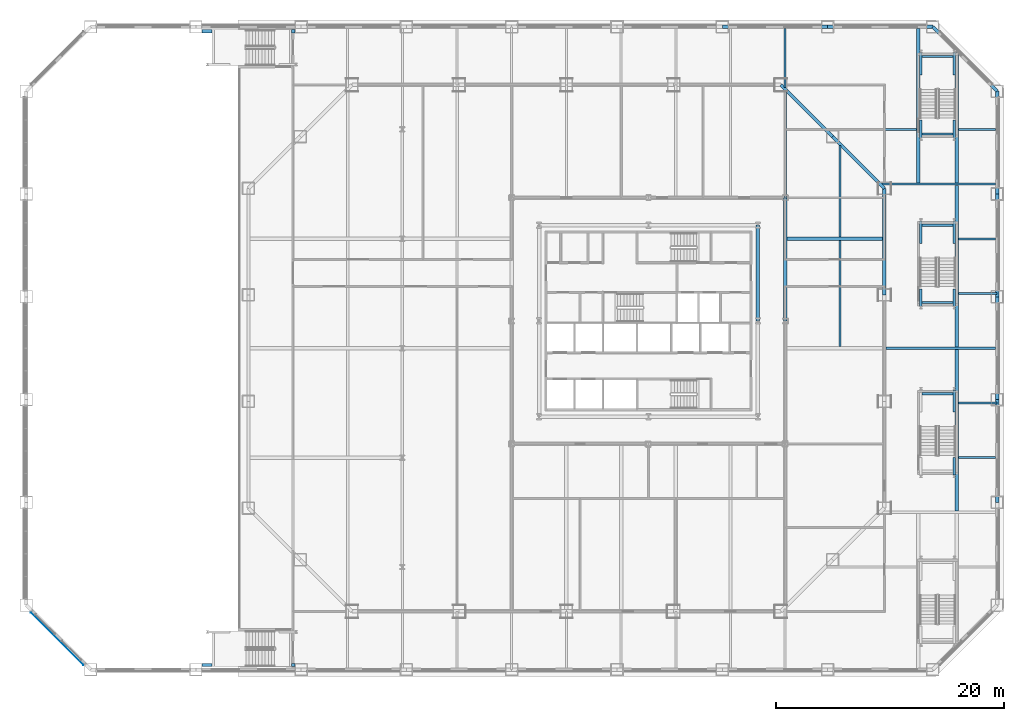
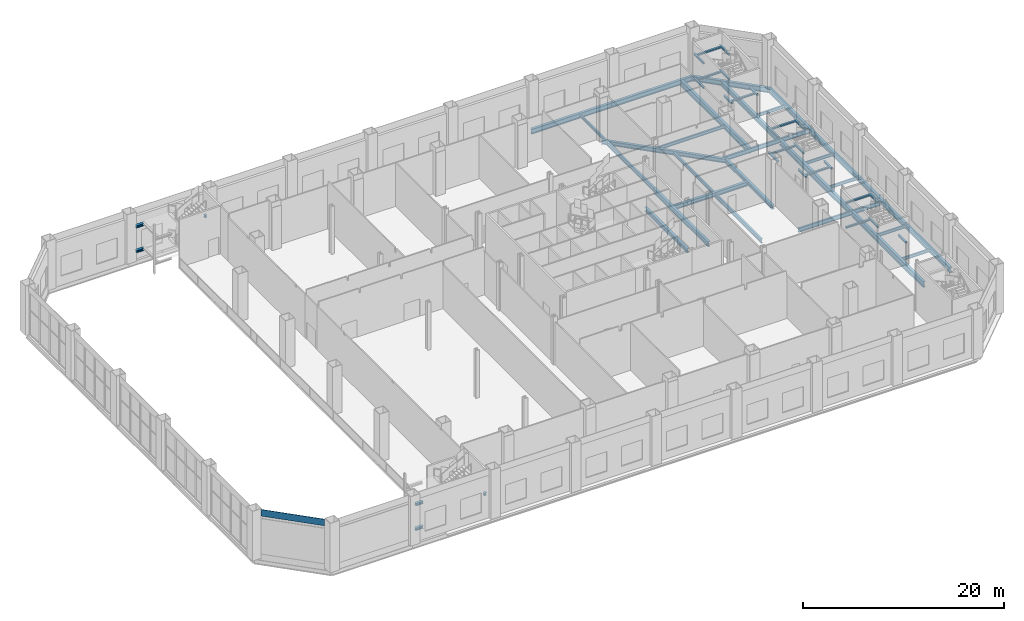
# One storey, part 13 of 31: 58 beams, 1 plate.
"""IFC4 building model written with IfcOpenShell, lengths in metres."""

import ifcopenshell
import ifcopenshell.guid

model = None  # the IFC model being written
_history = None  # IfcOwnerHistory: only IFC2X3 demands one
_inside = {}  # id of a spatial element -> (the spatial element, [elements in it])
_under = {}  # id of a project, library or spatial element -> (it, [spatial elements below it])
_declared = {}  # id of a project -> (the project, [libraries it declares])
_typed = {}  # id of a type object -> (the type object, [elements of that type])
_made_of = {}  # id of a material, layer set ... -> (it, [elements and type objects made of it])


def new_model(schema):
    """Start an empty IFC model of exactly this schema.

    Asked for "IFC4X3", IfcOpenShell would pick the latest addendum, in which some entities
    have other attributes; the version numbers below select the first issue.
    IFC2X3 requires an IfcOwnerHistory on every rooted entity: one is made here for all.
    """
    global model, _history
    if schema == "IFC4X3":
        model = ifcopenshell.file(schema_version=(4, 3, 0, 0))
    else:
        model = ifcopenshell.file(schema=schema)
    _inside.clear()
    _under.clear()
    _declared.clear()
    _typed.clear()
    _made_of.clear()
    _history = None
    if model.schema == "IFC2X3":
        org = make("IfcOrganization", Name="unknown")
        user = make(
            "IfcPersonAndOrganization",
            ThePerson=make("IfcPerson", FamilyName="unknown"),
            TheOrganization=org,
        )
        app = make(
            "IfcApplication",
            ApplicationDeveloper=org,
            Version="unknown",
            ApplicationFullName="unknown",
            ApplicationIdentifier="unknown",
        )
        _history = make(
            "IfcOwnerHistory",
            OwningUser=user,
            OwningApplication=app,
            ChangeAction="ADDED",
            CreationDate=0,
        )
    return model


def make(cls, **values):
    """One entity of the class cls with the attributes given. An attribute that is None is left unset."""
    return model.create_entity(
        cls, **{name: value for name, value in values.items() if value is not None}
    )


def rooted(cls, **values):
    """An entity with a GlobalId (a new one), such as an element, a storey or a relation."""
    return make(cls, GlobalId=ifcopenshell.guid.new(), OwnerHistory=_history, **values)


def si_unit(unit_type, name, prefix=None):
    """IfcSIUnit, for example si_unit("LENGTHUNIT", "METRE", prefix="MILLI")."""
    return make("IfcSIUnit", UnitType=unit_type, Prefix=prefix, Name=name)


def assignment(units):
    """IfcUnitAssignment: the units of a project."""
    return None if units is None else make("IfcUnitAssignment", Units=units)


def point(xyz):
    """IfcCartesianPoint."""
    return None if xyz is None else make("IfcCartesianPoint", Coordinates=xyz)


def direction(xyz):
    """IfcDirection."""
    return None if xyz is None else make("IfcDirection", DirectionRatios=xyz)


def frame(location, z_axis=None, x_axis=None):
    """IfcAxis2Placement3D, a coordinate frame: its origin and axes. An axis left out is left unset."""
    return make(
        "IfcAxis2Placement3D",
        Location=point(location),
        Axis=direction(z_axis),
        RefDirection=direction(x_axis),
    )


def frame_2d(location, x_axis=None):
    """IfcAxis2Placement2D, a coordinate frame in the plane: its origin and x axis."""
    return make(
        "IfcAxis2Placement2D", Location=point(location), RefDirection=direction(x_axis)
    )


def origin():
    """The frame at (0, 0, 0) with its axes left unset."""
    return frame((0.0, 0.0, 0.0))


def origin_2d():
    """The frame at (0, 0) in the plane with its x axis left unset."""
    return frame_2d((0.0, 0.0))


def place(relative_to, where):
    """IfcLocalPlacement: puts the frame where relative to a parent placement (None: the world)."""
    return make(
        "IfcLocalPlacement", PlacementRelTo=relative_to, RelativePlacement=where
    )


def context(
    kind, dimensions, precision=None, world=None, true_north=None, identifier=None
):
    """IfcGeometricRepresentationContext, for example the 3D "Model" context."""
    return make(
        "IfcGeometricRepresentationContext",
        ContextIdentifier=identifier,
        ContextType=kind,
        CoordinateSpaceDimension=dimensions,
        Precision=precision,
        WorldCoordinateSystem=world,
        TrueNorth=true_north,
    )


def subcontext(parent, identifier, kind, view, scale=None):
    """IfcGeometricRepresentationSubContext, for example "Body" below "Model"."""
    return make(
        "IfcGeometricRepresentationSubContext",
        ContextIdentifier=identifier,
        ContextType=kind,
        ParentContext=parent,
        TargetScale=scale,
        TargetView=view,
    )


def project(units=None, contexts=None):
    """IfcProject with its units and contexts."""
    return rooted(
        "IfcProject",
        Name="project",
        RepresentationContexts=contexts,
        UnitsInContext=assignment(units),
    )


def spatial(cls, under=None, at=None, **own):
    """A site, building, storey or space (cls), placed at a placement, below another one or the project."""
    s = rooted(cls, ObjectPlacement=at, **own)
    if under is not None:
        _under.setdefault(under.id(), (under, []))[1].append(s)
    return s


def profile(cls, at=None, kind="AREA", **sizes):
    """A parametric profile (cls). Its sizes go by their IFC names, for example OverallWidth=200.0."""
    return make(cls, ProfileType=kind, Position=at, **sizes)


def rectangle(**sizes):
    """IfcRectangleProfileDef."""
    return profile("IfcRectangleProfileDef", **sizes)


def i_section(**sizes):
    """IfcIShapeProfileDef."""
    return profile("IfcIShapeProfileDef", **sizes)


def extrude(swept, where, along, depth):
    """IfcExtrudedAreaSolid: the profile swept, set in the frame where, extruded along a direction by depth."""
    return make(
        "IfcExtrudedAreaSolid",
        SweptArea=swept,
        Position=where,
        ExtrudedDirection=direction(along),
        Depth=depth,
    )


def shape(context_of_items, identifier, shape_type, items):
    """IfcShapeRepresentation: the items that make up one representation, for example the "Body"."""
    return make(
        "IfcShapeRepresentation",
        ContextOfItems=context_of_items,
        RepresentationIdentifier=identifier,
        RepresentationType=shape_type,
        Items=items,
    )


def material(Name=None, Category=None):
    """IfcMaterial."""
    return make("IfcMaterial", Name=Name, Category=Category)


def layer(
    of_material, thickness, ventilated=None, Name=None, Category=None, Priority=None
):
    """IfcMaterialLayer: one layer of a wall or slab, of a material (None: an air gap)."""
    return make(
        "IfcMaterialLayer",
        Material=of_material,
        LayerThickness=thickness,
        IsVentilated=ventilated,
        Name=Name,
        Category=Category,
        Priority=Priority,
    )


def layer_set(layers, Name=None):
    """IfcMaterialLayerSet."""
    return make("IfcMaterialLayerSet", MaterialLayers=layers, LayerSetName=Name)


def material_profile(
    of_material, cross_section, Name=None, Category=None, Priority=None
):
    """IfcMaterialProfile: a cross section and its material."""
    return make(
        "IfcMaterialProfile",
        Name=Name,
        Material=of_material,
        Profile=cross_section,
        Priority=Priority,
        Category=Category,
    )


def profile_set(profiles, Name=None, composite=None):
    """IfcMaterialProfileSet."""
    return make(
        "IfcMaterialProfileSet",
        Name=Name,
        MaterialProfiles=profiles,
        CompositeProfile=composite,
    )


def made_of(thing, what):
    """Note that an element or type object is made of a material, layer set ...; save() writes the relation."""
    if what is not None:
        _made_of.setdefault(what.id(), (what, []))[1].append(thing)
    return thing


def type_object(cls, material=None, **own):
    """A type object (cls), such as IfcWallType, which elements share."""
    return made_of(rooted(cls, **own), material)


def element(
    cls,
    number,
    at=None,
    inside=None,
    cuts=None,
    type_object=None,
    material=None,
    context=None,
    identifier="Body",
    shape_type=None,
    held_by="IfcProductDefinitionShape",
    body=None,
    shapes=None,
    **own,
):
    """One element of the class cls, such as IfcWall. Its Tag is "e" and its number.

    at: its placement. inside: the storey or other place that contains it. cuts: it is an
    opening in that element (IfcRelVoidsElement). A single representation is given by context,
    identifier, shape_type and body (its items); several are given by shapes. held_by: the class
    of the entity that holds the representations. save() writes the other relations.
    """
    e = rooted(cls, Tag="e%d" % number, ObjectPlacement=at, **own)
    if body is not None:
        shapes = [shape(context, identifier, shape_type, body)]
    if shapes is not None:
        e.Representation = make(held_by, Representations=shapes)
    if inside is not None:
        _inside.setdefault(inside.id(), (inside, []))[1].append(e)
    if cuts is not None:
        rooted(
            "IfcRelVoidsElement", RelatingBuildingElement=cuts, RelatedOpeningElement=e
        )
    if type_object is not None:
        _typed.setdefault(type_object.id(), (type_object, []))[1].append(e)
    return made_of(e, material)


def aggregate(whole, parts):
    """IfcRelAggregates: a whole, such as a stair, and the parts it consists of."""
    return rooted("IfcRelAggregates", RelatingObject=whole, RelatedObjects=parts)


def save(model, path):
    """Write the relations noted so far, then the file.

    IfcRelAggregates (storeys below a building ...), IfcRelContainedInSpatialStructure (elements
    in a storey), IfcRelDefinesByType, IfcRelAssociatesMaterial and IfcRelDeclares: one each for
    every whole, place, type object, material and project.
    """
    for whole, parts in _under.values():
        aggregate(whole, parts)
    for where, things in _inside.values():
        rooted(
            "IfcRelContainedInSpatialStructure",
            RelatedElements=things,
            RelatingStructure=where,
        )
    for kind, things in _typed.values():
        rooted("IfcRelDefinesByType", RelatedObjects=things, RelatingType=kind)
    for what, things in _made_of.values():
        rooted("IfcRelAssociatesMaterial", RelatedObjects=things, RelatingMaterial=what)
    for by, libraries in _declared.values():
        rooted("IfcRelDeclares", RelatingContext=by, RelatedDefinitions=libraries)
    model.write(path)


model = new_model("IFC4")

# Units and contexts
model_context = context("Model", 3, precision=1e-05, world=origin(), true_north=direction((0.0, 1.0)))
body_context = subcontext(model_context, "Body", "Model", "MODEL_VIEW")
ifc_project = project(units=[si_unit("LENGTHUNIT", "METRE"), si_unit("AREAUNIT", "SQUARE_METRE"), si_unit("VOLUMEUNIT", "CUBIC_METRE"), si_unit("PLANEANGLEUNIT", "RADIAN"), si_unit("MASSUNIT", "GRAM", prefix="KILO")], contexts=[model_context])

# Site, building, storey
site_placement = place(None, origin())
site = spatial("IfcSite", under=ifc_project, at=site_placement, CompositionType="ELEMENT")
building_placement = place(site_placement, origin())
building = spatial("IfcBuilding", under=site, at=building_placement, Name="Cairn Pilgrim Tower", CompositionType="ELEMENT")
storey_placement = place(building_placement, frame((0.0, 0.0, 15.0)))
storey = spatial("IfcBuildingStorey", under=building, at=storey_placement, Name="L02", CompositionType="ELEMENT", Elevation=15.0)

# Beams
ifc_material_1 = material(Name="Structural steel S355J2", Category="steel")
ifc_material_profile_1 = material_profile(ifc_material_1, i_section(OverallWidth=0.169921875, OverallDepth=0.360107421875, WebThickness=0.008056640625, FlangeThickness=0.0126953125, FilletRadius=0.01806640625, at=origin_2d()), Name="IPE 360")
ifc_profile_set_1 = profile_set([ifc_material_profile_1], Name="Structural steel S355J2")
beam_type_1 = type_object("IfcBeamType", Name="PODIUM BEAM IPE 360", PredefinedType="BEAM", material=ifc_profile_set_1)
beam_1_placement = place(storey_placement, frame((34.422119140625, -9.60009765625, -0.3798828125), z_axis=(1.0, 0.0, 0.0), x_axis=(0.0, 1.0, 0.0)))
element("IfcBeam", 1, at=beam_1_placement, inside=storey, type_object=beam_type_1, Name="PODIUM BEAM PB-IPE360", PredefinedType="BEAM", context=body_context, shape_type="SweptSolid", body=[
    extrude(i_section(OverallWidth=0.169921875, OverallDepth=0.360107421875, WebThickness=0.008056640625, FlangeThickness=0.0126953125, FilletRadius=0.01806640625, at=origin_2d()), origin(), (0.0, 0.0, 1.0), 3.225830078125),
])
for number, where, z_axis, x_axis, name in (
    (2, (34.422119140625, -4.800048828125, -0.3798828125), (1.0, 0.0, 0.0), (0.0, 1.0, 0.0), "PODIUM BEAM PB-IPE360"),
    (3, (34.422119140625, 4.800048828125, -0.3798828125), (1.0, 0.0, 0.0), (0.0, 1.0, 0.0), "PODIUM BEAM PB-IPE360"),
):
    element("IfcBeam", number, at=place(storey_placement, frame(where, z_axis=z_axis, x_axis=x_axis)), inside=storey, type_object=beam_type_1, Name=name, PredefinedType="BEAM", context=body_context, shape_type="SweptSolid", body=[
        extrude(i_section(OverallWidth=0.169921875, OverallDepth=0.360107421875, WebThickness=0.008056640625, FlangeThickness=0.0126953125, FilletRadius=0.01806640625, at=origin_2d()), origin(), (0.0, 0.0, 1.0), 3.3779296875),
    ])
for number, where, z_axis, x_axis, name in (
    (4, (34.422119140625, 9.60009765625, -0.3798828125), (1.0, 0.0, 0.0), (0.0, 1.0, 0.0), "PODIUM BEAM PB-IPE360"),
    (5, (34.422119140625, 19.199951171875, -0.3798828125), (1.0, 0.0, 0.0), (0.0, 1.0, 0.0), "PODIUM BEAM PB-IPE360"),
):
    element("IfcBeam", number, at=place(storey_placement, frame(where, z_axis=z_axis, x_axis=x_axis)), inside=storey, type_object=beam_type_1, Name=name, PredefinedType="BEAM", context=body_context, shape_type="SweptSolid", body=[
        extrude(i_section(OverallWidth=0.169921875, OverallDepth=0.360107421875, WebThickness=0.008056640625, FlangeThickness=0.0126953125, FilletRadius=0.01806640625, at=origin_2d()), origin(), (0.0, 0.0, 1.0), 3.225830078125),
    ])
beam_2_placement = place(storey_placement, frame((19.199951171875, 22.879150390625, -0.3798828125), z_axis=(0.0, 1.0, 0.0), x_axis=(-1.0, 0.0, 0.0)))
element("IfcBeam", 6, at=beam_2_placement, inside=storey, type_object=beam_type_1, Name="PODIUM BEAM PB-IPE360", PredefinedType="BEAM", context=body_context, shape_type="SweptSolid", body=[
    extrude(i_section(OverallWidth=0.169921875, OverallDepth=0.360107421875, WebThickness=0.008056640625, FlangeThickness=0.0126953125, FilletRadius=0.01806640625, at=origin_2d()), origin(), (0.0, 0.0, 1.0), 5.1689453125),
])
ifc_material_profile_2 = material_profile(ifc_material_1, i_section(OverallWidth=0.179931640625, OverallDepth=0.39990234375, WebThickness=0.008544921875, FlangeThickness=0.013427734375, FilletRadius=0.02099609375, at=origin_2d()), Name="IPE 400")
ifc_profile_set_2 = profile_set([ifc_material_profile_2], Name="Structural steel S355J2")
beam_type_2 = type_object("IfcBeamType", Name="PODIUM BEAM IPE 400", PredefinedType="BEAM", material=ifc_profile_set_2)
beam_3_placement = place(storey_placement, frame((24.0, 9.751953125, -0.39990234375), z_axis=(0.0, 1.0, 0.0), x_axis=(-1.0, 0.0, 0.0)))
element("IfcBeam", 7, at=beam_3_placement, inside=storey, type_object=beam_type_2, Name="PODIUM BEAM PB-IPE400", PredefinedType="BEAM", context=body_context, shape_type="SweptSolid", body=[
    extrude(i_section(OverallWidth=0.179931640625, OverallDepth=0.39990234375, WebThickness=0.008544921875, FlangeThickness=0.013427734375, FilletRadius=0.02099609375, at=origin_2d()), origin(), (0.0, 0.0, 1.0), 8.023193359375),
])
beam_4_placement = place(storey_placement, frame((22.879150390625, 19.199951171875, -0.39990234375), z_axis=(1.0, 0.0, 0.0), x_axis=(0.0, 1.0, 0.0)))
element("IfcBeam", 8, at=beam_4_placement, inside=storey, type_object=beam_type_2, Name="PODIUM BEAM PB-IPE400", PredefinedType="BEAM", context=body_context, shape_type="SweptSolid", body=[
    extrude(i_section(OverallWidth=0.179931640625, OverallDepth=0.39990234375, WebThickness=0.008544921875, FlangeThickness=0.013427734375, FilletRadius=0.02099609375, at=origin_2d()), origin(), (0.0, 0.0, 1.0), 7.848876953125),
])
ifc_material_profile_3 = material_profile(ifc_material_1, i_section(OverallWidth=0.199951171875, OverallDepth=0.5, WebThickness=0.01025390625, FlangeThickness=0.01611328125, FilletRadius=0.02099609375, at=origin_2d()), Name="IPE 500")
ifc_profile_set_3 = profile_set([ifc_material_profile_3], Name="Structural steel S355J2")
beam_type_3 = type_object("IfcBeamType", Name="PODIUM BEAM IPE 500", PredefinedType="BEAM", material=ifc_profile_set_3)
beam_5_placement = place(storey_placement, frame((19.199951171875, 13.199951171875, -0.449951171875), z_axis=(0.0, 1.0, 0.0), x_axis=(-1.0, 0.0, 0.0)))
element("IfcBeam", 9, at=beam_5_placement, inside=storey, type_object=beam_type_3, Name="PODIUM BEAM PB-IPE500", PredefinedType="BEAM", context=body_context, shape_type="SweptSolid", body=[
    extrude(i_section(OverallWidth=0.199951171875, OverallDepth=0.5, WebThickness=0.01025390625, FlangeThickness=0.01611328125, FilletRadius=0.02099609375, at=origin_2d()), origin(), (0.0, 0.0, 1.0), 9.375244140625),
])
beam_6_placement = place(storey_placement, frame((24.0, 0.152099609375, -0.449951171875), z_axis=(0.0, 1.0, 0.0), x_axis=(-1.0, 0.0, 0.0)))
element("IfcBeam", 10, at=beam_6_placement, inside=storey, type_object=beam_type_3, Name="PODIUM BEAM PB-IPE500", PredefinedType="BEAM", context=body_context, shape_type="SweptSolid", body=[
    extrude(i_section(OverallWidth=0.199951171875, OverallDepth=0.5, WebThickness=0.01025390625, FlangeThickness=0.01611328125, FilletRadius=0.02099609375, at=origin_2d()), origin(), (0.0, 0.0, 1.0), 9.2958984375),
])
beam_7_placement = place(storey_placement, frame((28.052001953125, 0.0, -0.449951171875), z_axis=(1.0, 0.0, 0.0), x_axis=(0.0, 1.0, 0.0)))
element("IfcBeam", 11, at=beam_7_placement, inside=storey, type_object=beam_type_3, Name="PODIUM BEAM PB-IPE500", PredefinedType="BEAM", context=body_context, shape_type="SweptSolid", body=[
    extrude(i_section(OverallWidth=0.199951171875, OverallDepth=0.5, WebThickness=0.01025390625, FlangeThickness=0.01611328125, FilletRadius=0.02099609375, at=origin_2d()), origin(), (0.0, 0.0, 1.0), 9.595947265625),
])
beam_8_placement = place(storey_placement, frame((27.67919921875, 14.39990234375, -0.449951171875), z_axis=(1.0, 0.0, 0.0), x_axis=(0.0, 1.0, 0.0)))
element("IfcBeam", 12, at=beam_8_placement, inside=storey, type_object=beam_type_3, Name="PODIUM BEAM PB-IPE500", PredefinedType="BEAM", context=body_context, shape_type="SweptSolid", body=[
    extrude(i_section(OverallWidth=0.199951171875, OverallDepth=0.5, WebThickness=0.01025390625, FlangeThickness=0.01611328125, FilletRadius=0.02099609375, at=origin_2d()), origin(), (0.0, 0.0, 1.0), 9.96875),
])
ifc_material_profile_4 = material_profile(ifc_material_1, i_section(OverallWidth=0.300048828125, OverallDepth=0.60009765625, WebThickness=0.015380859375, FlangeThickness=0.030029296875, FilletRadius=0.027099609375, at=origin_2d()), Name="HEB 600")
ifc_profile_set_4 = profile_set([ifc_material_profile_4], Name="Structural steel S355J2")
beam_type_4 = type_object("IfcBeamType", Name="PODIUM EDGE GIRDER HE 600 B", PredefinedType="BEAM", material=ifc_profile_set_4)
beam_9_placement = place(storey_placement, frame((37.800048828125, -13.531005859375, -0.5), z_axis=(0.0, 1.0, 0.0), x_axis=(-1.0, 0.0, 0.0)))
element("IfcBeam", 13, at=beam_9_placement, inside=storey, type_object=beam_type_4, Name="PODIUM EDGE GIRDER PE-HE600B", PredefinedType="BEAM", context=body_context, shape_type="SweptSolid", body=[
    extrude(i_section(OverallWidth=0.300048828125, OverallDepth=0.60009765625, WebThickness=0.015380859375, FlangeThickness=0.030029296875, FilletRadius=0.027099609375, at=origin_2d()), origin(), (0.0, 0.0, 1.0), 9.020751953125),
])
beam_10_placement = place(storey_placement, frame((37.800048828125, -4.51025390625, -0.5), z_axis=(0.0, 1.0, 0.0), x_axis=(-1.0, 0.0, 0.0)))
element("IfcBeam", 14, at=beam_10_placement, inside=storey, type_object=beam_type_4, Name="PODIUM EDGE GIRDER PE-HE600B", PredefinedType="BEAM", context=body_context, shape_type="SweptSolid", body=[
    extrude(i_section(OverallWidth=0.300048828125, OverallDepth=0.60009765625, WebThickness=0.015380859375, FlangeThickness=0.030029296875, FilletRadius=0.027099609375, at=origin_2d()), origin(), (0.0, 0.0, 1.0), 9.0205078125),
])
beam_11_placement = place(storey_placement, frame((37.800048828125, 4.51025390625, -0.5), z_axis=(0.0, 1.0, 0.0), x_axis=(-1.0, 0.0, 0.0)))
element("IfcBeam", 15, at=beam_11_placement, inside=storey, type_object=beam_type_4, Name="PODIUM EDGE GIRDER PE-HE600B", PredefinedType="BEAM", context=body_context, shape_type="SweptSolid", body=[
    extrude(i_section(OverallWidth=0.300048828125, OverallDepth=0.60009765625, WebThickness=0.015380859375, FlangeThickness=0.030029296875, FilletRadius=0.027099609375, at=origin_2d()), origin(), (0.0, 0.0, 1.0), 9.020751953125),
])
beam_12_placement = place(storey_placement, frame((37.800048828125, 13.531005859375, -0.5), z_axis=(0.0, 1.0, 0.0), x_axis=(-1.0, 0.0, 0.0)))
element("IfcBeam", 16, at=beam_12_placement, inside=storey, type_object=beam_type_4, Name="PODIUM EDGE GIRDER PE-HE600B", PredefinedType="BEAM", context=body_context, shape_type="SweptSolid", body=[
    extrude(i_section(OverallWidth=0.300048828125, OverallDepth=0.60009765625, WebThickness=0.015380859375, FlangeThickness=0.030029296875, FilletRadius=0.027099609375, at=origin_2d()), origin(), (0.0, 0.0, 1.0), 9.0205078125),
])
beam_13_placement = place(storey_placement, frame((37.800048828125, 22.551513671875, -0.5), z_axis=(-0.707106781187, 0.707106781187, 0.0), x_axis=(-0.707106781187, -0.707106781187, 0.0)))
element("IfcBeam", 17, at=beam_13_placement, inside=storey, type_object=beam_type_4, Name="PODIUM EDGE GIRDER PE-HE600B", PredefinedType="BEAM", context=body_context, shape_type="SweptSolid", body=[
    extrude(i_section(OverallWidth=0.300048828125, OverallDepth=0.60009765625, WebThickness=0.015380859375, FlangeThickness=0.030029296875, FilletRadius=0.027099609375, at=origin_2d()), origin(), (0.0, 0.0, 1.0), 7.988037109375),
])
beam_14_placement = place(storey_placement, frame((32.151611328125, 28.199951171875, -0.5), z_axis=(-1.0, 0.0, 0.0), x_axis=(0.0, -1.0, 0.0)))
element("IfcBeam", 18, at=beam_14_placement, inside=storey, type_object=beam_type_4, Name="PODIUM EDGE GIRDER PE-HE600B", PredefinedType="BEAM", context=body_context, shape_type="SweptSolid", body=[
    extrude(i_section(OverallWidth=0.300048828125, OverallDepth=0.60009765625, WebThickness=0.015380859375, FlangeThickness=0.030029296875, FilletRadius=0.027099609375, at=origin_2d()), origin(), (0.0, 0.0, 1.0), 9.238037109375),
])
beam_15_placement = place(storey_placement, frame((22.91357421875, 28.199951171875, -0.5), z_axis=(-1.0, 0.0, 0.0), x_axis=(0.0, -1.0, 0.0)))
element("IfcBeam", 19, at=beam_15_placement, inside=storey, type_object=beam_type_4, Name="PODIUM EDGE GIRDER PE-HE600B", PredefinedType="BEAM", context=body_context, shape_type="SweptSolid", body=[
    extrude(i_section(OverallWidth=0.300048828125, OverallDepth=0.60009765625, WebThickness=0.015380859375, FlangeThickness=0.030029296875, FilletRadius=0.027099609375, at=origin_2d()), origin(), (0.0, 0.0, 1.0), 9.23779296875),
])
ifc_material_profile_5 = material_profile(ifc_material_1, i_section(OverallWidth=0.300048828125, OverallDepth=0.5, WebThickness=0.014404296875, FlangeThickness=0.028076171875, FilletRadius=0.027099609375, at=origin_2d()), Name="HEB 500")
ifc_profile_set_5 = profile_set([ifc_material_profile_5], Name="Structural steel S355J2")
beam_type_5 = type_object("IfcBeamType", Name="PODIUM GIRDER HE 500 B", PredefinedType="BEAM", material=ifc_profile_set_5)
beam_16_placement = place(storey_placement, frame((27.89990234375, 4.67578125, -0.449951171875), z_axis=(0.0, 1.0, 0.0), x_axis=(-1.0, 0.0, 0.0)))
element("IfcBeam", 20, at=beam_16_placement, inside=storey, type_object=beam_type_5, Name="PODIUM GIRDER PG-HE500B", PredefinedType="BEAM", context=body_context, shape_type="SweptSolid", body=[
    extrude(i_section(OverallWidth=0.300048828125, OverallDepth=0.5, WebThickness=0.014404296875, FlangeThickness=0.028076171875, FilletRadius=0.027099609375, at=origin_2d()), origin(), (0.0, 0.0, 1.0), 9.351318359375),
])
for number, where, z_axis, x_axis, name in (
    (21, (27.89990234375, 14.027099609375, -0.449951171875), (-0.707087753759, 0.707125808102, 0.0), (-0.707125808102, -0.707087753759, 0.0), "PODIUM GIRDER PG-HE500B"),
    (22, (23.363525390625, 18.563720703125, -0.449951171875), (-0.707106781187, 0.707106781187, 0.0), (-0.707106781187, -0.707106781187, 0.0), "PODIUM GIRDER PG-HE500B"),
):
    element("IfcBeam", number, at=place(storey_placement, frame(where, z_axis=z_axis, x_axis=x_axis)), inside=storey, type_object=beam_type_5, Name=name, PredefinedType="BEAM", context=body_context, shape_type="SweptSolid", body=[
        extrude(i_section(OverallWidth=0.300048828125, OverallDepth=0.5, WebThickness=0.014404296875, FlangeThickness=0.028076171875, FilletRadius=0.027099609375, at=origin_2d()), origin(), (0.0, 0.0, 1.0), 6.41552734375),
    ])
beam_17_placement = place(storey_placement, frame((16.800048828125, 2.39990234375, -0.449951171875), z_axis=(0.0, 1.0, 0.0), x_axis=(-1.0, 0.0, 0.0)))
element("IfcBeam", 23, at=beam_17_placement, inside=storey, type_object=beam_type_5, Name="PODIUM GIRDER PG-HE500B", PredefinedType="BEAM", context=body_context, shape_type="SweptSolid", body=[
    extrude(i_section(OverallWidth=0.300048828125, OverallDepth=0.5, WebThickness=0.014404296875, FlangeThickness=0.028076171875, FilletRadius=0.027099609375, at=origin_2d()), origin(), (0.0, 0.0, 1.0), 8.400146484375),
])
beam_18_placement = place(storey_placement, frame((19.35205078125, 9.60009765625, -0.449951171875), z_axis=(1.0, 0.0, 0.0), x_axis=(0.0, 1.0, 0.0)))
element("IfcBeam", 24, at=beam_18_placement, inside=storey, type_object=beam_type_5, Name="PODIUM GIRDER PG-HE500B", PredefinedType="BEAM", context=body_context, shape_type="SweptSolid", body=[
    extrude(i_section(OverallWidth=0.300048828125, OverallDepth=0.5, WebThickness=0.014404296875, FlangeThickness=0.028076171875, FilletRadius=0.027099609375, at=origin_2d()), origin(), (0.0, 0.0, 1.0), 8.39599609375),
])
ifc_material_profile_6 = material_profile(ifc_material_1, i_section(OverallWidth=0.300048828125, OverallDepth=0.60009765625, WebThickness=0.015380859375, FlangeThickness=0.030029296875, FilletRadius=0.027099609375, at=origin_2d()), Name="HEB 600")
ifc_profile_set_6 = profile_set([ifc_material_profile_6], Name="Structural steel S355J2")
beam_type_6 = type_object("IfcBeamType", Name="PODIUM GIRDER HE 600 B", PredefinedType="BEAM", material=ifc_profile_set_6)
beam_19_placement = place(storey_placement, frame((19.199951171875, 2.39990234375, -0.5), z_axis=(0.0, 1.0, 0.0), x_axis=(-1.0, 0.0, 0.0)))
element("IfcBeam", 25, at=beam_19_placement, inside=storey, type_object=beam_type_6, Name="PODIUM GIRDER PG-HE600B", PredefinedType="BEAM", context=body_context, shape_type="SweptSolid", body=[
    extrude(i_section(OverallWidth=0.300048828125, OverallDepth=0.60009765625, WebThickness=0.015380859375, FlangeThickness=0.030029296875, FilletRadius=0.027099609375, at=origin_2d()), origin(), (0.0, 0.0, 1.0), 10.800048828125),
])
beam_20_placement = place(storey_placement, frame((34.27001953125, 14.501953125, -0.5), z_axis=(0.0, 1.0, 0.0), x_axis=(-1.0, 0.0, 0.0)))
element("IfcBeam", 26, at=beam_20_placement, inside=storey, type_object=beam_type_6, Name="PODIUM GIRDER PG-HE600B", PredefinedType="BEAM", context=body_context, shape_type="SweptSolid", body=[
    extrude(i_section(OverallWidth=0.300048828125, OverallDepth=0.60009765625, WebThickness=0.015380859375, FlangeThickness=0.030029296875, FilletRadius=0.027099609375, at=origin_2d()), origin(), (0.0, 0.0, 1.0), 11.427490234375),
])
ifc_material_profile_7 = material_profile(ifc_material_1, i_section(OverallWidth=0.300048828125, OverallDepth=0.699951171875, WebThickness=0.01708984375, FlangeThickness=0.031982421875, FilletRadius=0.027099609375, at=origin_2d()), Name="HEB 700")
ifc_profile_set_7 = profile_set([ifc_material_profile_7], Name="Structural steel S355J2")
beam_type_7 = type_object("IfcBeamType", Name="PODIUM GIRDER HE 700 B", PredefinedType="BEAM", material=ifc_profile_set_7)
for number, where, z_axis, x_axis, name in (
    (27, (34.27001953125, -14.298095703125, -0.550048828125), (0.0, 1.0, 0.0), (-1.0, 0.0, 0.0), "PODIUM GIRDER PG-HE700B"),
    (28, (34.27001953125, 0.10205078125, -0.550048828125), (0.0, 1.0, 0.0), (-1.0, 0.0, 0.0), "PODIUM GIRDER PG-HE700B"),
):
    element("IfcBeam", number, at=place(storey_placement, frame(where, z_axis=z_axis, x_axis=x_axis)), inside=storey, type_object=beam_type_7, Name=name, PredefinedType="BEAM", context=body_context, shape_type="SweptSolid", body=[
        extrude(i_section(OverallWidth=0.300048828125, OverallDepth=0.699951171875, WebThickness=0.01708984375, FlangeThickness=0.031982421875, FilletRadius=0.027099609375, at=origin_2d()), origin(), (0.0, 0.0, 1.0), 14.196044921875),
    ])
beam_21_placement = place(storey_placement, frame((30.8798828125, 14.501953125, -0.550048828125), z_axis=(0.0, 1.0, 0.0), x_axis=(-1.0, 0.0, 0.0)))
element("IfcBeam", 29, at=beam_21_placement, inside=storey, type_object=beam_type_7, Name="PODIUM GIRDER PG-HE700B", PredefinedType="BEAM", context=body_context, shape_type="SweptSolid", body=[
    extrude(i_section(OverallWidth=0.300048828125, OverallDepth=0.699951171875, WebThickness=0.01708984375, FlangeThickness=0.031982421875, FilletRadius=0.027099609375, at=origin_2d()), origin(), (0.0, 0.0, 1.0), 13.546142578125),
])
ifc_material_profile_8 = material_profile(ifc_material_1, i_section(OverallWidth=0.199951171875, OverallDepth=0.199951171875, WebThickness=0.009033203125, FlangeThickness=0.014892578125, FilletRadius=0.01806640625, at=origin_2d()), Name="HE 200 B")
ifc_profile_set_8 = profile_set([ifc_material_profile_8], Name="Structural steel S355J2")
beam_type_8 = type_object("IfcBeamType", Name="STAIR LANDING BEAM HE 200 B", PredefinedType="BEAM", material=ifc_profile_set_8)
beam_22_placement = place(storey_placement, frame((34.044921875, -3.659912109375, 1.199951171875), z_axis=(0.0, -1.0, 0.0), x_axis=(1.0, 0.0, 0.0)))
element("IfcBeam", 30, at=beam_22_placement, inside=storey, type_object=beam_type_8, Name="STAIR LANDING BEAM LD-HE200B", PredefinedType="BEAM", context=body_context, shape_type="SweptSolid", body=[
    extrude(i_section(OverallWidth=0.199951171875, OverallDepth=0.199951171875, WebThickness=0.009033203125, FlangeThickness=0.014892578125, FilletRadius=0.01806640625, at=origin_2d()), origin(), (0.0, 0.0, 1.0), 1.945068359375),
])
beam_23_placement = place(storey_placement, frame((31.205078125, -4.0048828125, 1.199951171875), z_axis=(1.0, 0.0, 0.0), x_axis=(0.0, 1.0, 0.0)))
element("IfcBeam", 31, at=beam_23_placement, inside=storey, type_object=beam_type_8, Name="STAIR LANDING BEAM LD-HE200B", PredefinedType="BEAM", context=body_context, shape_type="SweptSolid", body=[
    extrude(i_section(OverallWidth=0.199951171875, OverallDepth=0.199951171875, WebThickness=0.009033203125, FlangeThickness=0.014892578125, FilletRadius=0.01806640625, at=origin_2d()), origin(), (0.0, 0.0, 1.0), 2.739990234375),
])
beam_24_placement = place(storey_placement, frame((34.044921875, -11.139892578125, 2.699951171875), z_axis=(0.0, 1.0, 0.0), x_axis=(-1.0, 0.0, 0.0)))
element("IfcBeam", 32, at=beam_24_placement, inside=storey, type_object=beam_type_8, Name="STAIR LANDING BEAM LD-HE200B", PredefinedType="BEAM", context=body_context, shape_type="SweptSolid", body=[
    extrude(i_section(OverallWidth=0.199951171875, OverallDepth=0.199951171875, WebThickness=0.009033203125, FlangeThickness=0.014892578125, FilletRadius=0.01806640625, at=origin_2d()), origin(), (0.0, 0.0, 1.0), 1.544921875),
])
beam_25_placement = place(storey_placement, frame((34.044921875, -3.659912109375, 4.199951171875), z_axis=(0.0, -1.0, 0.0), x_axis=(1.0, 0.0, 0.0)))
element("IfcBeam", 33, at=beam_25_placement, inside=storey, type_object=beam_type_8, Name="STAIR LANDING BEAM LD-HE200B", PredefinedType="BEAM", context=body_context, shape_type="SweptSolid", body=[
    extrude(i_section(OverallWidth=0.199951171875, OverallDepth=0.199951171875, WebThickness=0.009033203125, FlangeThickness=0.014892578125, FilletRadius=0.01806640625, at=origin_2d()), origin(), (0.0, 0.0, 1.0), 1.945068359375),
])
beam_26_placement = place(storey_placement, frame((31.205078125, -4.0048828125, 4.199951171875), z_axis=(1.0, 0.0, 0.0), x_axis=(0.0, 1.0, 0.0)))
element("IfcBeam", 34, at=beam_26_placement, inside=storey, type_object=beam_type_8, Name="STAIR LANDING BEAM LD-HE200B", PredefinedType="BEAM", context=body_context, shape_type="SweptSolid", body=[
    extrude(i_section(OverallWidth=0.199951171875, OverallDepth=0.199951171875, WebThickness=0.009033203125, FlangeThickness=0.014892578125, FilletRadius=0.01806640625, at=origin_2d()), origin(), (0.0, 0.0, 1.0), 2.739990234375),
])
for number, where, z_axis, x_axis, name in (
    (35, (31.10498046875, 11.139892578125, 1.199951171875), (0.0, -1.0, 0.0), (1.0, 0.0, 0.0), "STAIR LANDING BEAM LD-HE200B"),
    (36, (34.044921875, 11.139892578125, 1.199951171875), (0.0, -1.0, 0.0), (1.0, 0.0, 0.0), "STAIR LANDING BEAM LD-HE200B"),
):
    element("IfcBeam", number, at=place(storey_placement, frame(where, z_axis=z_axis, x_axis=x_axis)), inside=storey, type_object=beam_type_8, Name=name, PredefinedType="BEAM", context=body_context, shape_type="SweptSolid", body=[
        extrude(i_section(OverallWidth=0.199951171875, OverallDepth=0.199951171875, WebThickness=0.009033203125, FlangeThickness=0.014892578125, FilletRadius=0.01806640625, at=origin_2d()), origin(), (0.0, 0.0, 1.0), 1.94482421875),
    ])
beam_27_placement = place(storey_placement, frame((31.205078125, 10.794921875, 1.199951171875), z_axis=(1.0, 0.0, 0.0), x_axis=(0.0, 1.0, 0.0)))
element("IfcBeam", 37, at=beam_27_placement, inside=storey, type_object=beam_type_8, Name="STAIR LANDING BEAM LD-HE200B", PredefinedType="BEAM", context=body_context, shape_type="SweptSolid", body=[
    extrude(i_section(OverallWidth=0.199951171875, OverallDepth=0.199951171875, WebThickness=0.009033203125, FlangeThickness=0.014892578125, FilletRadius=0.01806640625, at=origin_2d()), origin(), (0.0, 0.0, 1.0), 2.739990234375),
])
for number, where, z_axis, x_axis, name in (
    (38, (31.10498046875, 3.659912109375, 2.699951171875), (0.0, 1.0, 0.0), (-1.0, 0.0, 0.0), "STAIR LANDING BEAM LD-HE200B"),
    (39, (34.044921875, 3.659912109375, 2.699951171875), (0.0, 1.0, 0.0), (-1.0, 0.0, 0.0), "STAIR LANDING BEAM LD-HE200B"),
):
    element("IfcBeam", number, at=place(storey_placement, frame(where, z_axis=z_axis, x_axis=x_axis)), inside=storey, type_object=beam_type_8, Name=name, PredefinedType="BEAM", context=body_context, shape_type="SweptSolid", body=[
        extrude(i_section(OverallWidth=0.199951171875, OverallDepth=0.199951171875, WebThickness=0.009033203125, FlangeThickness=0.014892578125, FilletRadius=0.01806640625, at=origin_2d()), origin(), (0.0, 0.0, 1.0), 1.545166015625),
    ])
beam_28_placement = place(storey_placement, frame((31.205078125, 4.0048828125, 2.699951171875), z_axis=(1.0, 0.0, 0.0), x_axis=(0.0, 1.0, 0.0)))
element("IfcBeam", 40, at=beam_28_placement, inside=storey, type_object=beam_type_8, Name="STAIR LANDING BEAM LD-HE200B", PredefinedType="BEAM", context=body_context, shape_type="SweptSolid", body=[
    extrude(i_section(OverallWidth=0.199951171875, OverallDepth=0.199951171875, WebThickness=0.009033203125, FlangeThickness=0.014892578125, FilletRadius=0.01806640625, at=origin_2d()), origin(), (0.0, 0.0, 1.0), 2.739990234375),
])
for number, where, z_axis, x_axis, name in (
    (41, (31.10498046875, 11.139892578125, 4.199951171875), (0.0, -1.0, 0.0), (1.0, 0.0, 0.0), "STAIR LANDING BEAM LD-HE200B"),
    (42, (34.044921875, 11.139892578125, 4.199951171875), (0.0, -1.0, 0.0), (1.0, 0.0, 0.0), "STAIR LANDING BEAM LD-HE200B"),
):
    element("IfcBeam", number, at=place(storey_placement, frame(where, z_axis=z_axis, x_axis=x_axis)), inside=storey, type_object=beam_type_8, Name=name, PredefinedType="BEAM", context=body_context, shape_type="SweptSolid", body=[
        extrude(i_section(OverallWidth=0.199951171875, OverallDepth=0.199951171875, WebThickness=0.009033203125, FlangeThickness=0.014892578125, FilletRadius=0.01806640625, at=origin_2d()), origin(), (0.0, 0.0, 1.0), 1.94482421875),
    ])
beam_29_placement = place(storey_placement, frame((31.205078125, 10.794921875, 4.199951171875), z_axis=(1.0, 0.0, 0.0), x_axis=(0.0, 1.0, 0.0)))
element("IfcBeam", 43, at=beam_29_placement, inside=storey, type_object=beam_type_8, Name="STAIR LANDING BEAM LD-HE200B", PredefinedType="BEAM", context=body_context, shape_type="SweptSolid", body=[
    extrude(i_section(OverallWidth=0.199951171875, OverallDepth=0.199951171875, WebThickness=0.009033203125, FlangeThickness=0.014892578125, FilletRadius=0.01806640625, at=origin_2d()), origin(), (0.0, 0.0, 1.0), 2.739990234375),
])
for number, where, z_axis, x_axis, name in (
    (44, (31.10498046875, 25.93994140625, 1.199951171875), (0.0, -1.0, 0.0), (1.0, 0.0, 0.0), "STAIR LANDING BEAM LD-HE200B"),
    (45, (34.044921875, 25.93994140625, 1.199951171875), (0.0, -1.0, 0.0), (1.0, 0.0, 0.0), "STAIR LANDING BEAM LD-HE200B"),
):
    element("IfcBeam", number, at=place(storey_placement, frame(where, z_axis=z_axis, x_axis=x_axis)), inside=storey, type_object=beam_type_8, Name=name, PredefinedType="BEAM", context=body_context, shape_type="SweptSolid", body=[
        extrude(i_section(OverallWidth=0.199951171875, OverallDepth=0.199951171875, WebThickness=0.009033203125, FlangeThickness=0.014892578125, FilletRadius=0.01806640625, at=origin_2d()), origin(), (0.0, 0.0, 1.0), 1.94482421875),
    ])
beam_30_placement = place(storey_placement, frame((31.205078125, 25.594970703125, 1.199951171875), z_axis=(1.0, 0.0, 0.0), x_axis=(0.0, 1.0, 0.0)))
element("IfcBeam", 46, at=beam_30_placement, inside=storey, type_object=beam_type_8, Name="STAIR LANDING BEAM LD-HE200B", PredefinedType="BEAM", context=body_context, shape_type="SweptSolid", body=[
    extrude(i_section(OverallWidth=0.199951171875, OverallDepth=0.199951171875, WebThickness=0.009033203125, FlangeThickness=0.014892578125, FilletRadius=0.01806640625, at=origin_2d()), origin(), (0.0, 0.0, 1.0), 2.739990234375),
])
for number, where, z_axis, x_axis, name in (
    (47, (31.10498046875, 18.4599609375, 2.699951171875), (0.0, 1.0, 0.0), (-1.0, 0.0, 0.0), "STAIR LANDING BEAM LD-HE200B"),
    (48, (34.044921875, 18.4599609375, 2.699951171875), (0.0, 1.0, 0.0), (-1.0, 0.0, 0.0), "STAIR LANDING BEAM LD-HE200B"),
):
    element("IfcBeam", number, at=place(storey_placement, frame(where, z_axis=z_axis, x_axis=x_axis)), inside=storey, type_object=beam_type_8, Name=name, PredefinedType="BEAM", context=body_context, shape_type="SweptSolid", body=[
        extrude(i_section(OverallWidth=0.199951171875, OverallDepth=0.199951171875, WebThickness=0.009033203125, FlangeThickness=0.014892578125, FilletRadius=0.01806640625, at=origin_2d()), origin(), (0.0, 0.0, 1.0), 1.544921875),
    ])
beam_31_placement = place(storey_placement, frame((31.205078125, 18.804931640625, 2.699951171875), z_axis=(1.0, 0.0, 0.0), x_axis=(0.0, 1.0, 0.0)))
element("IfcBeam", 49, at=beam_31_placement, inside=storey, type_object=beam_type_8, Name="STAIR LANDING BEAM LD-HE200B", PredefinedType="BEAM", context=body_context, shape_type="SweptSolid", body=[
    extrude(i_section(OverallWidth=0.199951171875, OverallDepth=0.199951171875, WebThickness=0.009033203125, FlangeThickness=0.014892578125, FilletRadius=0.01806640625, at=origin_2d()), origin(), (0.0, 0.0, 1.0), 2.739990234375),
])
for number, where, z_axis, x_axis, name in (
    (50, (31.10498046875, 25.93994140625, 4.199951171875), (0.0, -1.0, 0.0), (1.0, 0.0, 0.0), "STAIR LANDING BEAM LD-HE200B"),
    (51, (34.044921875, 25.93994140625, 4.199951171875), (0.0, -1.0, 0.0), (1.0, 0.0, 0.0), "STAIR LANDING BEAM LD-HE200B"),
):
    element("IfcBeam", number, at=place(storey_placement, frame(where, z_axis=z_axis, x_axis=x_axis)), inside=storey, type_object=beam_type_8, Name=name, PredefinedType="BEAM", context=body_context, shape_type="SweptSolid", body=[
        extrude(i_section(OverallWidth=0.199951171875, OverallDepth=0.199951171875, WebThickness=0.009033203125, FlangeThickness=0.014892578125, FilletRadius=0.01806640625, at=origin_2d()), origin(), (0.0, 0.0, 1.0), 1.94482421875),
    ])
beam_32_placement = place(storey_placement, frame((31.205078125, 25.594970703125, 4.199951171875), z_axis=(1.0, 0.0, 0.0), x_axis=(0.0, 1.0, 0.0)))
element("IfcBeam", 52, at=beam_32_placement, inside=storey, type_object=beam_type_8, Name="STAIR LANDING BEAM LD-HE200B", PredefinedType="BEAM", context=body_context, shape_type="SweptSolid", body=[
    extrude(i_section(OverallWidth=0.199951171875, OverallDepth=0.199951171875, WebThickness=0.009033203125, FlangeThickness=0.014892578125, FilletRadius=0.01806640625, at=origin_2d()), origin(), (0.0, 0.0, 1.0), 2.739990234375),
])
ifc_material_profile_9 = material_profile(ifc_material_1, i_section(OverallWidth=0.300048828125, OverallDepth=0.300048828125, WebThickness=0.010986328125, FlangeThickness=0.01904296875, FilletRadius=0.027099609375, at=origin_2d()), Name="HE 300 B")
ifc_profile_set_9 = profile_set([ifc_material_profile_9], Name="Structural steel S355J2")
beam_type_9 = type_object("IfcBeamType", Name="STAIR LANDING BRACKET HE 300 B", PredefinedType="BEAM", material=ifc_profile_set_9)
beam_33_placement = place(storey_placement, frame((-31.963623046875, 27.800048828125, 1.14990234375), z_axis=(1.0, 0.0, 0.0), x_axis=(0.0, 1.0, 0.0)))
element("IfcBeam", 53, at=beam_33_placement, inside=storey, type_object=beam_type_9, Name="STAIR LANDING BRACKET LB-HE300B", PredefinedType="BEAM", context=body_context, shape_type="SweptSolid", body=[
    extrude(i_section(OverallWidth=0.300048828125, OverallDepth=0.300048828125, WebThickness=0.010986328125, FlangeThickness=0.01904296875, FilletRadius=0.027099609375, at=origin_2d()), origin(), (0.0, 0.0, 1.0), 0.86865234375),
])
beam_34_placement = place(storey_placement, frame((-23.82568359375, 27.800048828125, 2.64990234375), z_axis=(-1.0, 0.0, 0.0), x_axis=(0.0, -1.0, 0.0)))
element("IfcBeam", 54, at=beam_34_placement, inside=storey, type_object=beam_type_9, Name="STAIR LANDING BRACKET LB-HE300B", PredefinedType="BEAM", context=body_context, shape_type="SweptSolid", body=[
    extrude(i_section(OverallWidth=0.300048828125, OverallDepth=0.300048828125, WebThickness=0.010986328125, FlangeThickness=0.01904296875, FilletRadius=0.027099609375, at=origin_2d()), origin(), (0.0, 0.0, 1.0), 0.279296875),
])
for number, where, z_axis, x_axis, name in (
    (55, (-31.963623046875, 27.800048828125, 4.14990234375), (1.0, 0.0, 0.0), (0.0, 1.0, 0.0), "STAIR LANDING BRACKET LB-HE300B"),
    (56, (-31.963623046875, -27.800048828125, 1.14990234375), (1.0, 0.0, 0.0), (0.0, 1.0, 0.0), "STAIR LANDING BRACKET LB-HE300B"),
):
    element("IfcBeam", number, at=place(storey_placement, frame(where, z_axis=z_axis, x_axis=x_axis)), inside=storey, type_object=beam_type_9, Name=name, PredefinedType="BEAM", context=body_context, shape_type="SweptSolid", body=[
        extrude(i_section(OverallWidth=0.300048828125, OverallDepth=0.300048828125, WebThickness=0.010986328125, FlangeThickness=0.01904296875, FilletRadius=0.027099609375, at=origin_2d()), origin(), (0.0, 0.0, 1.0), 0.86865234375),
    ])
beam_35_placement = place(storey_placement, frame((-23.82568359375, -27.800048828125, 2.64990234375), z_axis=(-1.0, 0.0, 0.0), x_axis=(0.0, -1.0, 0.0)))
element("IfcBeam", 57, at=beam_35_placement, inside=storey, type_object=beam_type_9, Name="STAIR LANDING BRACKET LB-HE300B", PredefinedType="BEAM", context=body_context, shape_type="SweptSolid", body=[
    extrude(i_section(OverallWidth=0.300048828125, OverallDepth=0.300048828125, WebThickness=0.010986328125, FlangeThickness=0.01904296875, FilletRadius=0.027099609375, at=origin_2d()), origin(), (0.0, 0.0, 1.0), 0.279296875),
])
beam_36_placement = place(storey_placement, frame((-31.963623046875, -27.800048828125, 4.14990234375), z_axis=(1.0, 0.0, 0.0), x_axis=(0.0, 1.0, 0.0)))
element("IfcBeam", 58, at=beam_36_placement, inside=storey, type_object=beam_type_9, Name="STAIR LANDING BRACKET LB-HE300B", PredefinedType="BEAM", context=body_context, shape_type="SweptSolid", body=[
    extrude(i_section(OverallWidth=0.300048828125, OverallDepth=0.300048828125, WebThickness=0.010986328125, FlangeThickness=0.01904296875, FilletRadius=0.027099609375, at=origin_2d()), origin(), (0.0, 0.0, 1.0), 0.86865234375),
])

# Plate
ifc_material_2 = material(Name="Bronze anodised aluminium", Category="aluminium")
ifc_layer = layer(ifc_material_2, 0.050048828125)
ifc_layer_set = layer_set([ifc_layer], Name="BRONZE FASCIA PANEL 50")
plate_type = type_object("IfcPlateType", Name="BRONZE FASCIA PANEL 50", PredefinedType="SHEET", material=ifc_layer_set)
plate_placement = place(storey_placement, frame((-44.699462890625, -25.49951171875, 5.2001953125), z_axis=(0.0, 0.0, 1.0), x_axis=(0.707106781187, -0.707106781187, 0.0)))
element("IfcPlate", 59, at=plate_placement, inside=storey, type_object=plate_type, Name="FASCIA", PredefinedType="SHEET", context=body_context, shape_type="SweptSolid", body=[
    extrude(rectangle(XDim=6.50830078125, YDim=0.050048828125, at=origin_2d()), origin(), (0.0, 0.0, 1.0), 0.800048828125),
])

save(model, "model.ifc")
